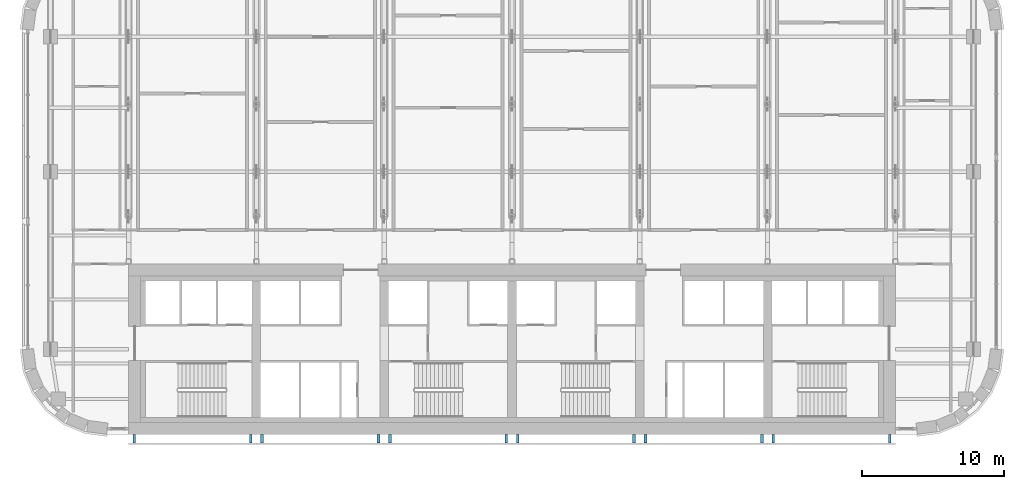
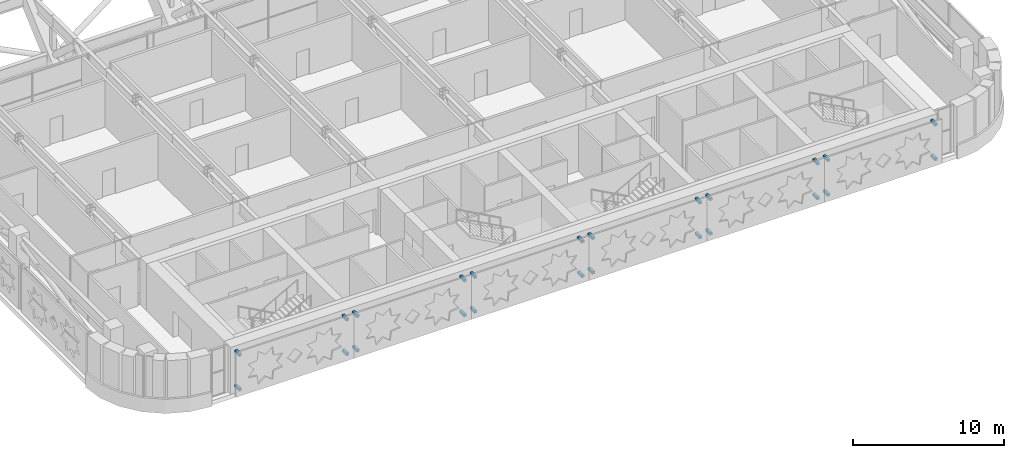
# One storey, part 18 of 23: 24 discrete accessories.
"""IFC4 building model written with IfcOpenShell, lengths in metres."""

from ifc_helpers import new_model, si_unit, direction, frame, origin, origin_2d, place, context, subcontext, project, spatial, rectangle, extrude, material, type_object, element, save


model = new_model("IFC4")

# Units and contexts
model_context = context("Model", 3, precision=1e-05, world=origin(), true_north=direction((0.0, 1.0)))
body_context = subcontext(model_context, "Body", "Model", "MODEL_VIEW")
ifc_project = project(units=[si_unit("LENGTHUNIT", "METRE"), si_unit("AREAUNIT", "SQUARE_METRE"), si_unit("VOLUMEUNIT", "CUBIC_METRE"), si_unit("PLANEANGLEUNIT", "RADIAN"), si_unit("MASSUNIT", "GRAM", prefix="KILO")], contexts=[model_context])

# Site, building, storey
site_placement = place(None, origin())
site = spatial("IfcSite", under=ifc_project, at=site_placement, CompositionType="ELEMENT")
building_placement = place(site_placement, origin())
building = spatial("IfcBuilding", under=site, at=building_placement, Name="Zellij Exchange Tower", CompositionType="ELEMENT")
storey_placement = place(building_placement, frame((0.0, 0.0, 160.5)))
storey = spatial("IfcBuildingStorey", under=building, at=storey_placement, Name="L36", CompositionType="ELEMENT", Elevation=160.5)

# Discrete accessories
ifc_material = material(Name="Stainless steel", Category="steel")
discrete_accessory_type = type_object("IfcDiscreteAccessoryType", Name="ENV-BR1 Stone panel bracket 200", PredefinedType="USERDEFINED", material=ifc_material)
for number, where, z_axis, x_axis, name in (
    (1, (-26.60009765625, -14.300048828125, 0.5), (0.0, 0.0, 1.0), (1.0, 0.0, 0.0), "Panel bracket"),
    (2, (-26.60009765625, -14.300048828125, 3.2998046875), (0.0, 0.0, 1.0), (1.0, 0.0, 0.0), "Panel bracket"),
    (3, (-18.39990234375, -14.300048828125, 0.5), (0.0, 0.0, 1.0), (1.0, 0.0, 0.0), "Panel bracket"),
    (4, (-18.39990234375, -14.300048828125, 3.2998046875), (0.0, 0.0, 1.0), (1.0, 0.0, 0.0), "Panel bracket"),
    (5, (-17.60009765625, -14.300048828125, 0.5), (0.0, 0.0, 1.0), (1.0, 0.0, 0.0), "Panel bracket"),
    (6, (-17.60009765625, -14.300048828125, 3.2998046875), (0.0, 0.0, 1.0), (1.0, 0.0, 0.0), "Panel bracket"),
    (7, (-9.39990234375, -14.300048828125, 0.5), (0.0, 0.0, 1.0), (1.0, 0.0, 0.0), "Panel bracket"),
    (8, (-9.39990234375, -14.300048828125, 3.2998046875), (0.0, 0.0, 1.0), (1.0, 0.0, 0.0), "Panel bracket"),
    (9, (-8.60009765625, -14.300048828125, 0.5), (0.0, 0.0, 1.0), (1.0, 0.0, 0.0), "Panel bracket"),
    (10, (-8.60009765625, -14.300048828125, 3.2998046875), (0.0, 0.0, 1.0), (1.0, 0.0, 0.0), "Panel bracket"),
    (11, (-0.39990234375, -14.300048828125, 0.5), (0.0, 0.0, 1.0), (1.0, 0.0, 0.0), "Panel bracket"),
    (12, (-0.39990234375, -14.300048828125, 3.2998046875), (0.0, 0.0, 1.0), (1.0, 0.0, 0.0), "Panel bracket"),
    (13, (0.39990234375, -14.300048828125, 0.5), (0.0, 0.0, 1.0), (1.0, 0.0, 0.0), "Panel bracket"),
    (14, (0.39990234375, -14.300048828125, 3.2998046875), (0.0, 0.0, 1.0), (1.0, 0.0, 0.0), "Panel bracket"),
    (15, (8.60009765625, -14.300048828125, 0.5), (0.0, 0.0, 1.0), (1.0, 0.0, 0.0), "Panel bracket"),
    (16, (8.60009765625, -14.300048828125, 3.2998046875), (0.0, 0.0, 1.0), (1.0, 0.0, 0.0), "Panel bracket"),
    (17, (9.39990234375, -14.300048828125, 0.5), (0.0, 0.0, 1.0), (1.0, 0.0, 0.0), "Panel bracket"),
    (18, (9.39990234375, -14.300048828125, 3.2998046875), (0.0, 0.0, 1.0), (1.0, 0.0, 0.0), "Panel bracket"),
    (19, (17.60009765625, -14.300048828125, 0.5), (0.0, 0.0, 1.0), (1.0, 0.0, 0.0), "Panel bracket"),
    (20, (17.60009765625, -14.300048828125, 3.2998046875), (0.0, 0.0, 1.0), (1.0, 0.0, 0.0), "Panel bracket"),
    (21, (18.39990234375, -14.300048828125, 0.5), (0.0, 0.0, 1.0), (1.0, 0.0, 0.0), "Panel bracket"),
    (22, (18.39990234375, -14.300048828125, 3.2998046875), (0.0, 0.0, 1.0), (1.0, 0.0, 0.0), "Panel bracket"),
    (23, (26.60009765625, -14.300048828125, 0.5), (0.0, 0.0, 1.0), (1.0, 0.0, 0.0), "Panel bracket"),
    (24, (26.60009765625, -14.300048828125, 3.2998046875), (0.0, 0.0, 1.0), (1.0, 0.0, 0.0), "Panel bracket"),
):
    element("IfcDiscreteAccessory", number, at=place(storey_placement, frame(where, z_axis=z_axis, x_axis=x_axis)), inside=storey, type_object=discrete_accessory_type, Name=name, ObjectType="BRACKET", PredefinedType="USERDEFINED", context=body_context, shape_type="SweptSolid", body=[
        extrude(rectangle(XDim=0.199951171875, YDim=0.60009765625, at=origin_2d()), origin(), (0.0, 0.0, 1.0), 0.199951171875),
    ])

save(model, "model.ifc")
